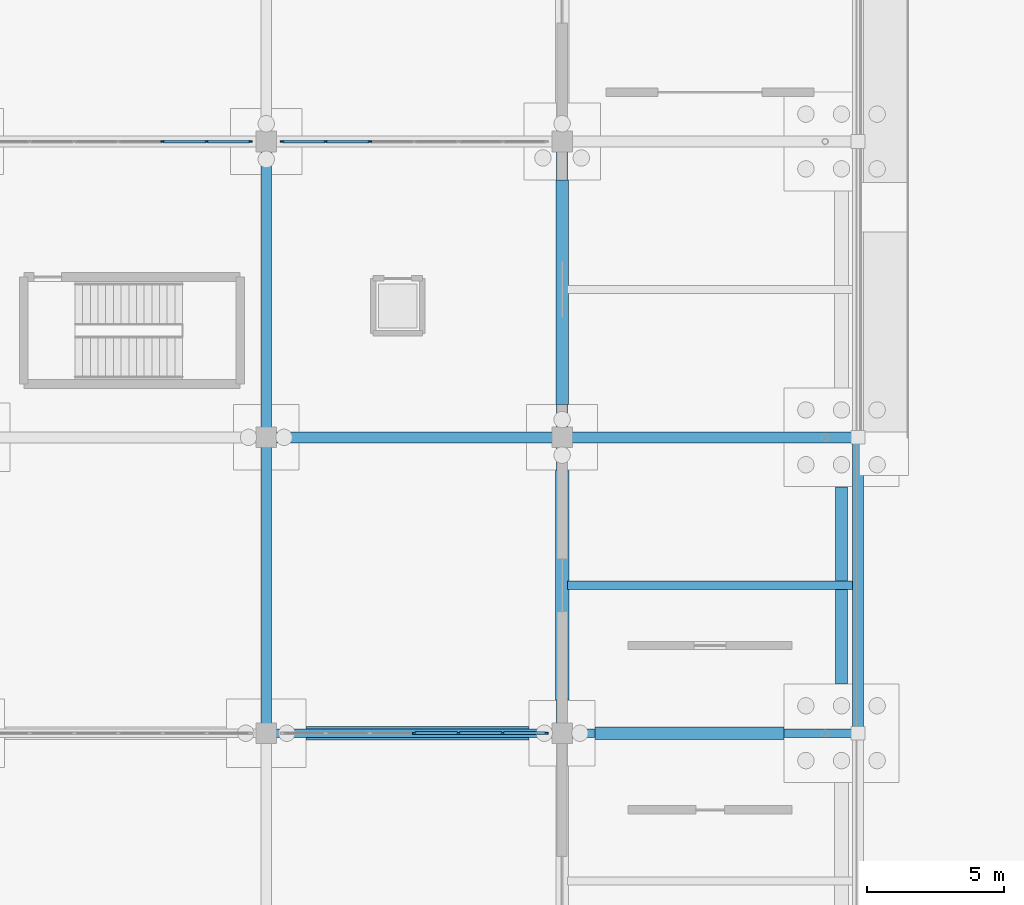
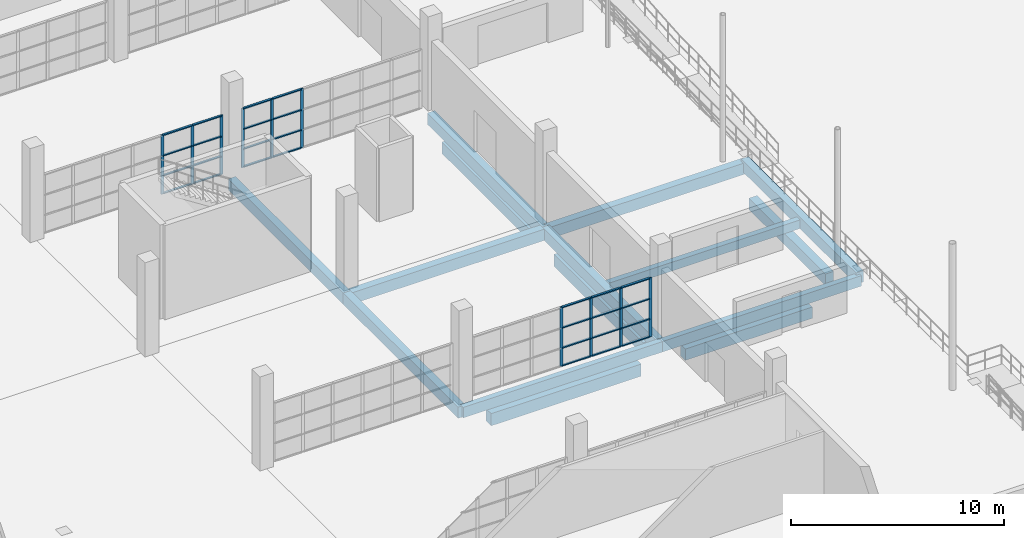
# One storey, part 72 of 138: 38 members, 15 beams, 3 elements without a shape of their own.
"""IFC4 building model written with IfcOpenShell, lengths in metres."""

from ifc_helpers import new_model, si_unit, direction, frame, origin, origin_2d, place, context, subcontext, project, spatial, rectangle, extrude, material, material_profile, profile_set, type_object, element, aggregate, save


model = new_model("IFC4")

# Units and contexts
model_context = context("Model", 3, precision=1e-05, world=origin(), true_north=direction((0.0, 1.0)))
body_context = subcontext(model_context, "Body", "Model", "MODEL_VIEW")
ifc_project = project(units=[si_unit("LENGTHUNIT", "METRE"), si_unit("AREAUNIT", "SQUARE_METRE"), si_unit("VOLUMEUNIT", "CUBIC_METRE"), si_unit("PLANEANGLEUNIT", "RADIAN"), si_unit("MASSUNIT", "GRAM", prefix="KILO")], contexts=[model_context])

# Site, building, storey
site_placement = place(None, origin())
site = spatial("IfcSite", under=ifc_project, at=site_placement, CompositionType="ELEMENT")
building_placement = place(site_placement, origin())
building = spatial("IfcBuilding", under=site, at=building_placement, Name="Zwinboog Wholesale Market", CompositionType="ELEMENT")
storey_placement = place(building_placement, origin())
storey = spatial("IfcBuildingStorey", under=building, at=storey_placement, Name="L00", CompositionType="ELEMENT", Elevation=0.0)

# Beams
ifc_material_1 = material(Name="Precast concrete C45/55", Category="concrete")
ifc_material_profile_1 = material_profile(ifc_material_1, rectangle(XDim=0.39990234375, YDim=0.64990234375, at=origin_2d()), Name="PC 400x650")
ifc_profile_set_1 = profile_set([ifc_material_profile_1], Name="Precast concrete C45/55")
beam_type_1 = type_object("IfcBeamType", Name="BT-05", PredefinedType="BEAM", material=ifc_profile_set_1)
for number, where, z_axis, x_axis, name in (
    (1, (162.0, 75.60009765625, -0.719970703125), (1.0, 0.0, 0.0), (0.0, 1.0, 0.0), "BG-05 (BMG-L00-1620-0756-0114)"),
    (2, (162.0, 64.800048828125, -0.719970703125), (0.0, 1.0, 0.0), (-1.0, 0.0, 0.0), "BG-05 (BMG-L00-1620-0648-0371)"),
):
    element("IfcBeam", number, at=place(storey_placement, frame(where, z_axis=z_axis, x_axis=x_axis)), inside=storey, type_object=beam_type_1, Name=name, PredefinedType="BEAM", context=body_context, shape_type="SweptSolid", body=[
        extrude(rectangle(XDim=0.39990234375, YDim=0.64990234375, at=origin_2d()), origin(), (0.0, 0.0, 1.0), 10.800048828125),
    ])
beam_1_placement = place(storey_placement, frame((162.0, 75.60009765625, -0.719970703125), z_axis=(0.0, 1.0, 0.0), x_axis=(-1.0, 0.0, 0.0)))
element("IfcBeam", 3, at=beam_1_placement, inside=storey, type_object=beam_type_1, Name="BG-05 (BMG-L00-1620-0756-0372)", PredefinedType="BEAM", context=body_context, shape_type="SweptSolid", body=[
    extrude(rectangle(XDim=0.39990234375, YDim=0.64990234375, at=origin_2d()), origin(), (0.0, 0.0, 1.0), 10.7998046875),
])
beam_2_placement = place(storey_placement, frame((172.800048828125, 64.800048828125, -0.719970703125), z_axis=(0.0, 1.0, 0.0), x_axis=(-1.0, 0.0, 0.0)))
element("IfcBeam", 4, at=beam_2_placement, inside=storey, type_object=beam_type_1, Name="BG-05 (BMG-L00-1728-0648-0383)", PredefinedType="BEAM", context=body_context, shape_type="SweptSolid", body=[
    extrude(rectangle(XDim=0.39990234375, YDim=0.64990234375, at=origin_2d()), origin(), (0.0, 0.0, 1.0), 10.800048828125),
])
beam_3_placement = place(storey_placement, frame((172.800048828125, 75.60009765625, -0.719970703125), z_axis=(0.0, 1.0, 0.0), x_axis=(-1.0, 0.0, 0.0)))
element("IfcBeam", 5, at=beam_3_placement, inside=storey, type_object=beam_type_1, Name="BG-05 (BMG-L00-1728-0756-0384)", PredefinedType="BEAM", context=body_context, shape_type="SweptSolid", body=[
    extrude(rectangle(XDim=0.39990234375, YDim=0.64990234375, at=origin_2d()), origin(), (0.0, 0.0, 1.0), 10.7998046875),
])
for number, where, z_axis, x_axis, name in (
    (6, (172.800048828125, 75.60009765625, -0.719970703125), (1.0, 0.0, 0.0), (0.0, 1.0, 0.0), "BG-05 (BM-TER-L00-0014)"),
    (7, (183.60009765625, 64.800048828125, -0.5869140625), (0.0, 1.0, 0.0), (-1.0, 0.0, 0.0), "BG-05 (BM-TER-L00-0027)"),
):
    element("IfcBeam", number, at=place(storey_placement, frame(where, z_axis=z_axis, x_axis=x_axis)), inside=storey, type_object=beam_type_1, Name=name, PredefinedType="BEAM", context=body_context, shape_type="SweptSolid", body=[
        extrude(rectangle(XDim=0.39990234375, YDim=0.64990234375, at=origin_2d()), origin(), (0.0, 0.0, 1.0), 10.800048828125),
    ])
ifc_material_profile_2 = material_profile(ifc_material_1, rectangle(XDim=0.300048828125, YDim=0.60009765625, at=origin_2d()), Name="PC 300x600")
ifc_profile_set_2 = profile_set([ifc_material_profile_2], Name="Precast concrete C45/55")
beam_type_2 = type_object("IfcBeamType", Name="BT-09", PredefinedType="SPANDREL", material=ifc_profile_set_2)
for number, where, z_axis, x_axis, name in (
    (8, (162.0, 64.800048828125, -0.695068359375), (1.0, 0.0, 0.0), (0.0, 1.0, 0.0), "SP-02 (BMG-L00-1620-0648-0098)"),
    (9, (172.800048828125, 64.800048828125, -0.695068359375), (1.0, 0.0, 0.0), (0.0, 1.0, 0.0), "SP-02 (BM-TER-L00-0013)"),
):
    element("IfcBeam", number, at=place(storey_placement, frame(where, z_axis=z_axis, x_axis=x_axis)), inside=storey, type_object=beam_type_2, Name=name, PredefinedType="SPANDREL", context=body_context, shape_type="SweptSolid", body=[
        extrude(rectangle(XDim=0.300048828125, YDim=0.60009765625, at=origin_2d()), origin(), (0.0, 0.0, 1.0), 10.800048828125),
    ])
ifc_material_profile_3 = material_profile(ifc_material_1, rectangle(XDim=0.300048828125, YDim=0.5, at=origin_2d()), Name="PC 300x500")
ifc_profile_set_3 = profile_set([ifc_material_profile_3], Name="Precast concrete C45/55")
beam_type_3 = type_object("IfcBeamType", Name="BT-10", PredefinedType="JOIST", material=ifc_profile_set_3)
beam_4_placement = place(storey_placement, frame((173.0, 70.199951171875, -0.64501953125), z_axis=(1.0, 0.0, 0.0), x_axis=(0.0, 1.0, 0.0)))
element("IfcBeam", 10, at=beam_4_placement, inside=storey, type_object=beam_type_3, Name="BJ-01 (BM-TER-L00-0043)", PredefinedType="JOIST", context=body_context, shape_type="SweptSolid", body=[
    extrude(rectangle(XDim=0.300048828125, YDim=0.5, at=origin_2d()), origin(), (0.0, 0.0, 1.0), 10.39990234375),
])
ifc_material_2 = material(Name="Concrete C35/45", Category="concrete")
ifc_material_profile_4 = material_profile(ifc_material_2, rectangle(XDim=0.5, YDim=0.699951171875, at=origin_2d()), Name="RC 500x700")
ifc_profile_set_4 = profile_set([ifc_material_profile_4], Name="Concrete C35/45")
beam_type_4 = type_object("IfcBeamType", Name="BT-12", PredefinedType="USERDEFINED", material=ifc_profile_set_4)
beam_5_placement = place(storey_placement, frame((163.455078125, 64.800048828125, -1.550048828125), z_axis=(1.0, 0.0, 0.0), x_axis=(0.0, 1.0, 0.0)))
element("IfcBeam", 11, at=beam_5_placement, inside=storey, type_object=beam_type_4, Name="GB-01 (BM-GB-0065)", ObjectType="GROUND_BEAM", PredefinedType="USERDEFINED", context=body_context, shape_type="SweptSolid", body=[
    extrude(rectangle(XDim=0.5, YDim=0.699951171875, at=origin_2d()), origin(), (0.0, 0.0, 1.0), 8.139892578125),
])
beam_6_placement = place(storey_placement, frame((172.800048828125, 66.0048828125, -1.550048828125), z_axis=(0.0, 1.0, 0.0), x_axis=(-1.0, 0.0, 0.0)))
element("IfcBeam", 12, at=beam_6_placement, inside=storey, type_object=beam_type_4, Name="GB-01 (BM-GB-0202)", ObjectType="GROUND_BEAM", PredefinedType="USERDEFINED", context=body_context, shape_type="SweptSolid", body=[
    extrude(rectangle(XDim=0.5, YDim=0.699951171875, at=origin_2d()), origin(), (0.0, 0.0, 1.0), 8.39013671875),
])
ifc_material_profile_5 = material_profile(ifc_material_2, rectangle(XDim=0.449951171875, YDim=0.64990234375, at=origin_2d()), Name="RC 450x650")
ifc_profile_set_5 = profile_set([ifc_material_profile_5], Name="Concrete C35/45")
beam_type_5 = type_object("IfcBeamType", Name="BT-13", PredefinedType="USERDEFINED", material=ifc_profile_set_5)
beam_7_placement = place(storey_placement, frame((174.0048828125, 64.800048828125, -1.52490234375), z_axis=(1.0, 0.0, 0.0), x_axis=(0.0, 1.0, 0.0)))
element("IfcBeam", 13, at=beam_7_placement, inside=storey, type_object=beam_type_5, Name="GB-02 (BM-GB-0066)", ObjectType="GROUND_BEAM", PredefinedType="USERDEFINED", context=body_context, shape_type="SweptSolid", body=[
    extrude(rectangle(XDim=0.449951171875, YDim=0.64990234375, at=origin_2d()), origin(), (0.0, 0.0, 1.0), 6.89013671875),
])
beam_8_placement = place(storey_placement, frame((172.800048828125, 76.804931640625, -1.52490234375), z_axis=(0.0, 1.0, 0.0), x_axis=(-1.0, 0.0, 0.0)))
element("IfcBeam", 14, at=beam_8_placement, inside=storey, type_object=beam_type_5, Name="GB-02 (BM-GB-0203)", ObjectType="GROUND_BEAM", PredefinedType="USERDEFINED", context=body_context, shape_type="SweptSolid", body=[
    extrude(rectangle(XDim=0.449951171875, YDim=0.64990234375, at=origin_2d()), origin(), (0.0, 0.0, 1.0), 8.190185546875),
])
beam_9_placement = place(storey_placement, frame((183.0, 66.60498046875, -1.52490234375), z_axis=(0.0, 1.0, 0.0), x_axis=(-1.0, 0.0, 0.0)))
element("IfcBeam", 15, at=beam_9_placement, inside=storey, type_object=beam_type_5, Name="GB-02 (BM-GB-0209)", ObjectType="GROUND_BEAM", PredefinedType="USERDEFINED", context=body_context, shape_type="SweptSolid", body=[
    extrude(rectangle(XDim=0.449951171875, YDim=0.64990234375, at=origin_2d()), origin(), (0.0, 0.0, 1.0), 7.18994140625),
])

# Curtain wall, members
ifc_material_3 = material(Name="Aluminium thermally broken curtain wall", Category="aluminium")
curtain_wall_type = type_object("IfcCurtainWallType", Name="CWT-INT-STALL", PredefinedType="USERDEFINED", material=ifc_material_3)
curtain_wall_1_placement = place(storey_placement, origin())
curtain_wall_1 = element("IfcCurtainWall", 16, at=curtain_wall_1_placement, inside=storey, type_object=curtain_wall_type, Name="CW-07 (CW-STL-194)", ObjectType="STOREFRONT_GLAZING", PredefinedType="USERDEFINED")
ifc_material_4 = material(Name="Aluminium EN AW-6060", Category="aluminium")
ifc_material_profile_6 = material_profile(ifc_material_4, rectangle(XDim=0.06005859375, YDim=0.14990234375, at=origin_2d()), Name="AL 60x150")
ifc_profile_set_6 = profile_set([ifc_material_profile_6], Name="Aluminium EN AW-6060")
member_type_1 = type_object("IfcMemberType", Name="CWM-INT-60x120", PredefinedType="MULLION", material=ifc_profile_set_6)
member_1_placement = place(storey_placement, frame((167.39990234375, 64.800048828125, 0.0), z_axis=(0.0, 0.0, 1.0), x_axis=(0.0, 1.0, 0.0)))
member_1 = element("IfcMember", 17, at=member_1_placement, type_object=member_type_1, Name="CW-07 mullion 4", PredefinedType="MULLION", context=body_context, shape_type="SweptSolid", body=[
    extrude(rectangle(XDim=0.06005859375, YDim=0.14990234375, at=origin_2d()), origin(), (0.0, 0.0, 1.0), 3.39990234375),
])
member_2_placement = place(storey_placement, frame((169.0166015625, 64.800048828125, 0.0), z_axis=(0.0, 0.0, 1.0), x_axis=(0.0, 1.0, 0.0)))
member_2 = element("IfcMember", 18, at=member_2_placement, type_object=member_type_1, Name="CW-07 mullion 5", PredefinedType="MULLION", context=body_context, shape_type="SweptSolid", body=[
    extrude(rectangle(XDim=0.06005859375, YDim=0.14990234375, at=origin_2d()), origin(), (0.0, 0.0, 1.0), 3.39990234375),
])
member_3_placement = place(storey_placement, frame((170.63330078125, 64.800048828125, 0.0), z_axis=(0.0, 0.0, 1.0), x_axis=(0.0, 1.0, 0.0)))
member_3 = element("IfcMember", 19, at=member_3_placement, type_object=member_type_1, Name="CW-07 mullion 6", PredefinedType="MULLION", context=body_context, shape_type="SweptSolid", body=[
    extrude(rectangle(XDim=0.06005859375, YDim=0.14990234375, at=origin_2d()), origin(), (0.0, 0.0, 1.0), 3.39990234375),
])
member_4_placement = place(storey_placement, frame((172.219970703125, 64.800048828125, 0.0), z_axis=(0.0, 0.0, 1.0), x_axis=(0.0, 1.0, 0.0)))
member_4 = element("IfcMember", 20, at=member_4_placement, type_object=member_type_1, Name="CW-07 mullion 7", PredefinedType="MULLION", context=body_context, shape_type="SweptSolid", body=[
    extrude(rectangle(XDim=0.06005859375, YDim=0.14990234375, at=origin_2d()), origin(), (0.0, 0.0, 1.0), 3.39990234375),
])

curtain_wall_2_placement = place(storey_placement, origin())
curtain_wall_2 = element("IfcCurtainWall", 21, at=curtain_wall_2_placement, inside=storey, type_object=curtain_wall_type, Name="CW-07 (CW-STL-197)", ObjectType="STOREFRONT_GLAZING", PredefinedType="USERDEFINED")
member_5_placement = place(storey_placement, frame((158.216552734375, 86.39990234375, 0.0), z_axis=(0.0, 0.0, 1.0), x_axis=(0.0, 1.0, 0.0)))
member_5 = element("IfcMember", 22, at=member_5_placement, type_object=member_type_1, Name="CW-07 mullion 5", PredefinedType="MULLION", context=body_context, shape_type="SweptSolid", body=[
    extrude(rectangle(XDim=0.06005859375, YDim=0.14990234375, at=origin_2d()), origin(), (0.0, 0.0, 1.0), 3.39990234375),
])
member_6_placement = place(storey_placement, frame((159.833251953125, 86.39990234375, 0.0), z_axis=(0.0, 0.0, 1.0), x_axis=(0.0, 1.0, 0.0)))
member_6 = element("IfcMember", 23, at=member_6_placement, type_object=member_type_1, Name="CW-07 mullion 6", PredefinedType="MULLION", context=body_context, shape_type="SweptSolid", body=[
    extrude(rectangle(XDim=0.06005859375, YDim=0.14990234375, at=origin_2d()), origin(), (0.0, 0.0, 1.0), 3.39990234375),
])
member_7_placement = place(storey_placement, frame((161.419921875, 86.39990234375, 0.0), z_axis=(0.0, 0.0, 1.0), x_axis=(0.0, 1.0, 0.0)))
member_7 = element("IfcMember", 24, at=member_7_placement, type_object=member_type_1, Name="CW-07 mullion 7", PredefinedType="MULLION", context=body_context, shape_type="SweptSolid", body=[
    extrude(rectangle(XDim=0.06005859375, YDim=0.14990234375, at=origin_2d()), origin(), (0.0, 0.0, 1.0), 3.39990234375),
])

curtain_wall_3_placement = place(storey_placement, origin())
curtain_wall_3 = element("IfcCurtainWall", 25, at=curtain_wall_3_placement, inside=storey, type_object=curtain_wall_type, Name="CW-07 (CW-STL-198)", ObjectType="STOREFRONT_GLAZING", PredefinedType="USERDEFINED")
member_8_placement = place(storey_placement, frame((162.580078125, 86.39990234375, 0.0), z_axis=(0.0, 0.0, 1.0), x_axis=(0.0, 1.0, 0.0)))
member_8 = element("IfcMember", 26, at=member_8_placement, type_object=member_type_1, Name="CW-07 mullion 1", PredefinedType="MULLION", context=body_context, shape_type="SweptSolid", body=[
    extrude(rectangle(XDim=0.06005859375, YDim=0.14990234375, at=origin_2d()), origin(), (0.0, 0.0, 1.0), 3.39990234375),
])
member_9_placement = place(storey_placement, frame((164.166748046875, 86.39990234375, 0.0), z_axis=(0.0, 0.0, 1.0), x_axis=(0.0, 1.0, 0.0)))
member_9 = element("IfcMember", 27, at=member_9_placement, type_object=member_type_1, Name="CW-07 mullion 2", PredefinedType="MULLION", context=body_context, shape_type="SweptSolid", body=[
    extrude(rectangle(XDim=0.06005859375, YDim=0.14990234375, at=origin_2d()), origin(), (0.0, 0.0, 1.0), 3.39990234375),
])
member_10_placement = place(storey_placement, frame((165.783447265625, 86.39990234375, 0.0), z_axis=(0.0, 0.0, 1.0), x_axis=(0.0, 1.0, 0.0)))
member_10 = element("IfcMember", 28, at=member_10_placement, type_object=member_type_1, Name="CW-07 mullion 3", PredefinedType="MULLION", context=body_context, shape_type="SweptSolid", body=[
    extrude(rectangle(XDim=0.06005859375, YDim=0.14990234375, at=origin_2d()), origin(), (0.0, 0.0, 1.0), 3.39990234375),
])

# Member
ifc_material_profile_7 = material_profile(ifc_material_4, rectangle(XDim=0.110107421875, YDim=0.06005859375, at=origin_2d()), Name="AL 60x110")
ifc_profile_set_7 = profile_set([ifc_material_profile_7], Name="Aluminium EN AW-6060")
member_type_2 = type_object("IfcMemberType", Name="CWT-INT-60x100", PredefinedType="USERDEFINED", material=ifc_profile_set_7)
member_11_placement = place(storey_placement, frame((167.429931640625, 64.800048828125, 0.030029296875), z_axis=(1.0, 0.0, 0.0), x_axis=(0.0, 1.0, 0.0)))
member_11 = element("IfcMember", 29, at=member_11_placement, type_object=member_type_2, Name="CW-07 transom 4.1", ObjectType="TRANSOM", PredefinedType="USERDEFINED", context=body_context, shape_type="SweptSolid", body=[
    extrude(rectangle(XDim=0.110107421875, YDim=0.06005859375, at=origin_2d()), origin(), (0.0, 0.0, 1.0), 1.556640625),
])

member_12_placement = place(storey_placement, frame((167.429931640625, 64.800048828125, 1.050048828125), z_axis=(1.0, 0.0, 0.0), x_axis=(0.0, 1.0, 0.0)))
member_12 = element("IfcMember", 30, at=member_12_placement, type_object=member_type_2, Name="CW-07 transom 4.2", ObjectType="TRANSOM", PredefinedType="USERDEFINED", context=body_context, shape_type="SweptSolid", body=[
    extrude(rectangle(XDim=0.110107421875, YDim=0.06005859375, at=origin_2d()), origin(), (0.0, 0.0, 1.0), 1.556640625),
])

member_13_placement = place(storey_placement, frame((167.429931640625, 64.800048828125, 2.199951171875), z_axis=(1.0, 0.0, 0.0), x_axis=(0.0, 1.0, 0.0)))
member_13 = element("IfcMember", 31, at=member_13_placement, type_object=member_type_2, Name="CW-07 transom 4.3", ObjectType="TRANSOM", PredefinedType="USERDEFINED", context=body_context, shape_type="SweptSolid", body=[
    extrude(rectangle(XDim=0.110107421875, YDim=0.06005859375, at=origin_2d()), origin(), (0.0, 0.0, 1.0), 1.556640625),
])

member_14_placement = place(storey_placement, frame((167.429931640625, 64.800048828125, 3.3701171875), z_axis=(1.0, 0.0, 0.0), x_axis=(0.0, 1.0, 0.0)))
member_14 = element("IfcMember", 32, at=member_14_placement, type_object=member_type_2, Name="CW-07 transom 4.4", ObjectType="TRANSOM", PredefinedType="USERDEFINED", context=body_context, shape_type="SweptSolid", body=[
    extrude(rectangle(XDim=0.110107421875, YDim=0.06005859375, at=origin_2d()), origin(), (0.0, 0.0, 1.0), 1.556640625),
])

member_15_placement = place(storey_placement, frame((169.046630859375, 64.800048828125, 0.030029296875), z_axis=(1.0, 0.0, 0.0), x_axis=(0.0, 1.0, 0.0)))
member_15 = element("IfcMember", 33, at=member_15_placement, type_object=member_type_2, Name="CW-07 transom 5.1", ObjectType="TRANSOM", PredefinedType="USERDEFINED", context=body_context, shape_type="SweptSolid", body=[
    extrude(rectangle(XDim=0.110107421875, YDim=0.06005859375, at=origin_2d()), origin(), (0.0, 0.0, 1.0), 1.556640625),
])

member_16_placement = place(storey_placement, frame((169.046630859375, 64.800048828125, 1.050048828125), z_axis=(1.0, 0.0, 0.0), x_axis=(0.0, 1.0, 0.0)))
member_16 = element("IfcMember", 34, at=member_16_placement, type_object=member_type_2, Name="CW-07 transom 5.2", ObjectType="TRANSOM", PredefinedType="USERDEFINED", context=body_context, shape_type="SweptSolid", body=[
    extrude(rectangle(XDim=0.110107421875, YDim=0.06005859375, at=origin_2d()), origin(), (0.0, 0.0, 1.0), 1.556640625),
])

member_17_placement = place(storey_placement, frame((169.046630859375, 64.800048828125, 2.199951171875), z_axis=(1.0, 0.0, 0.0), x_axis=(0.0, 1.0, 0.0)))
member_17 = element("IfcMember", 35, at=member_17_placement, type_object=member_type_2, Name="CW-07 transom 5.3", ObjectType="TRANSOM", PredefinedType="USERDEFINED", context=body_context, shape_type="SweptSolid", body=[
    extrude(rectangle(XDim=0.110107421875, YDim=0.06005859375, at=origin_2d()), origin(), (0.0, 0.0, 1.0), 1.556640625),
])

member_18_placement = place(storey_placement, frame((169.046630859375, 64.800048828125, 3.3701171875), z_axis=(1.0, 0.0, 0.0), x_axis=(0.0, 1.0, 0.0)))
member_18 = element("IfcMember", 36, at=member_18_placement, type_object=member_type_2, Name="CW-07 transom 5.4", ObjectType="TRANSOM", PredefinedType="USERDEFINED", context=body_context, shape_type="SweptSolid", body=[
    extrude(rectangle(XDim=0.110107421875, YDim=0.06005859375, at=origin_2d()), origin(), (0.0, 0.0, 1.0), 1.556640625),
])

member_19_placement = place(storey_placement, frame((170.663330078125, 64.800048828125, 0.030029296875), z_axis=(1.0, 0.0, 0.0), x_axis=(0.0, 1.0, 0.0)))
member_19 = element("IfcMember", 37, at=member_19_placement, type_object=member_type_2, Name="CW-07 transom 6.1", ObjectType="TRANSOM", PredefinedType="USERDEFINED", context=body_context, shape_type="SweptSolid", body=[
    extrude(rectangle(XDim=0.110107421875, YDim=0.06005859375, at=origin_2d()), origin(), (0.0, 0.0, 1.0), 1.526611328125),
])

member_20_placement = place(storey_placement, frame((170.663330078125, 64.800048828125, 1.050048828125), z_axis=(1.0, 0.0, 0.0), x_axis=(0.0, 1.0, 0.0)))
member_20 = element("IfcMember", 38, at=member_20_placement, type_object=member_type_2, Name="CW-07 transom 6.2", ObjectType="TRANSOM", PredefinedType="USERDEFINED", context=body_context, shape_type="SweptSolid", body=[
    extrude(rectangle(XDim=0.110107421875, YDim=0.06005859375, at=origin_2d()), origin(), (0.0, 0.0, 1.0), 1.526611328125),
])

member_21_placement = place(storey_placement, frame((170.663330078125, 64.800048828125, 2.199951171875), z_axis=(1.0, 0.0, 0.0), x_axis=(0.0, 1.0, 0.0)))
member_21 = element("IfcMember", 39, at=member_21_placement, type_object=member_type_2, Name="CW-07 transom 6.3", ObjectType="TRANSOM", PredefinedType="USERDEFINED", context=body_context, shape_type="SweptSolid", body=[
    extrude(rectangle(XDim=0.110107421875, YDim=0.06005859375, at=origin_2d()), origin(), (0.0, 0.0, 1.0), 1.526611328125),
])

member_22_placement = place(storey_placement, frame((170.663330078125, 64.800048828125, 3.3701171875), z_axis=(1.0, 0.0, 0.0), x_axis=(0.0, 1.0, 0.0)))
member_22 = element("IfcMember", 40, at=member_22_placement, type_object=member_type_2, Name="CW-07 transom 6.4", ObjectType="TRANSOM", PredefinedType="USERDEFINED", context=body_context, shape_type="SweptSolid", body=[
    extrude(rectangle(XDim=0.110107421875, YDim=0.06005859375, at=origin_2d()), origin(), (0.0, 0.0, 1.0), 1.526611328125),
])

aggregate(curtain_wall_1, [member_1, member_2, member_3, member_4, member_11, member_12, member_13, member_14, member_15, member_16, member_17, member_18, member_19, member_20, member_21, member_22])

member_23_placement = place(storey_placement, frame((158.24658203125, 86.39990234375, 0.030029296875), z_axis=(1.0, 0.0, 0.0), x_axis=(0.0, 1.0, 0.0)))
member_23 = element("IfcMember", 41, at=member_23_placement, type_object=member_type_2, Name="CW-07 transom 5.1", ObjectType="TRANSOM", PredefinedType="USERDEFINED", context=body_context, shape_type="SweptSolid", body=[
    extrude(rectangle(XDim=0.110107421875, YDim=0.06005859375, at=origin_2d()), origin(), (0.0, 0.0, 1.0), 1.556640625),
])

member_24_placement = place(storey_placement, frame((158.24658203125, 86.39990234375, 1.050048828125), z_axis=(1.0, 0.0, 0.0), x_axis=(0.0, 1.0, 0.0)))
member_24 = element("IfcMember", 42, at=member_24_placement, type_object=member_type_2, Name="CW-07 transom 5.2", ObjectType="TRANSOM", PredefinedType="USERDEFINED", context=body_context, shape_type="SweptSolid", body=[
    extrude(rectangle(XDim=0.110107421875, YDim=0.06005859375, at=origin_2d()), origin(), (0.0, 0.0, 1.0), 1.556640625),
])

member_25_placement = place(storey_placement, frame((158.24658203125, 86.39990234375, 2.199951171875), z_axis=(1.0, 0.0, 0.0), x_axis=(0.0, 1.0, 0.0)))
member_25 = element("IfcMember", 43, at=member_25_placement, type_object=member_type_2, Name="CW-07 transom 5.3", ObjectType="TRANSOM", PredefinedType="USERDEFINED", context=body_context, shape_type="SweptSolid", body=[
    extrude(rectangle(XDim=0.110107421875, YDim=0.06005859375, at=origin_2d()), origin(), (0.0, 0.0, 1.0), 1.556640625),
])

member_26_placement = place(storey_placement, frame((158.24658203125, 86.39990234375, 3.3701171875), z_axis=(1.0, 0.0, 0.0), x_axis=(0.0, 1.0, 0.0)))
member_26 = element("IfcMember", 44, at=member_26_placement, type_object=member_type_2, Name="CW-07 transom 5.4", ObjectType="TRANSOM", PredefinedType="USERDEFINED", context=body_context, shape_type="SweptSolid", body=[
    extrude(rectangle(XDim=0.110107421875, YDim=0.06005859375, at=origin_2d()), origin(), (0.0, 0.0, 1.0), 1.556640625),
])

member_27_placement = place(storey_placement, frame((159.86328125, 86.39990234375, 0.030029296875), z_axis=(1.0, 0.0, 0.0), x_axis=(0.0, 1.0, 0.0)))
member_27 = element("IfcMember", 45, at=member_27_placement, type_object=member_type_2, Name="CW-07 transom 6.1", ObjectType="TRANSOM", PredefinedType="USERDEFINED", context=body_context, shape_type="SweptSolid", body=[
    extrude(rectangle(XDim=0.110107421875, YDim=0.06005859375, at=origin_2d()), origin(), (0.0, 0.0, 1.0), 1.526611328125),
])

member_28_placement = place(storey_placement, frame((159.86328125, 86.39990234375, 1.050048828125), z_axis=(1.0, 0.0, 0.0), x_axis=(0.0, 1.0, 0.0)))
member_28 = element("IfcMember", 46, at=member_28_placement, type_object=member_type_2, Name="CW-07 transom 6.2", ObjectType="TRANSOM", PredefinedType="USERDEFINED", context=body_context, shape_type="SweptSolid", body=[
    extrude(rectangle(XDim=0.110107421875, YDim=0.06005859375, at=origin_2d()), origin(), (0.0, 0.0, 1.0), 1.526611328125),
])

member_29_placement = place(storey_placement, frame((159.86328125, 86.39990234375, 2.199951171875), z_axis=(1.0, 0.0, 0.0), x_axis=(0.0, 1.0, 0.0)))
member_29 = element("IfcMember", 47, at=member_29_placement, type_object=member_type_2, Name="CW-07 transom 6.3", ObjectType="TRANSOM", PredefinedType="USERDEFINED", context=body_context, shape_type="SweptSolid", body=[
    extrude(rectangle(XDim=0.110107421875, YDim=0.06005859375, at=origin_2d()), origin(), (0.0, 0.0, 1.0), 1.526611328125),
])

member_30_placement = place(storey_placement, frame((159.86328125, 86.39990234375, 3.3701171875), z_axis=(1.0, 0.0, 0.0), x_axis=(0.0, 1.0, 0.0)))
member_30 = element("IfcMember", 48, at=member_30_placement, type_object=member_type_2, Name="CW-07 transom 6.4", ObjectType="TRANSOM", PredefinedType="USERDEFINED", context=body_context, shape_type="SweptSolid", body=[
    extrude(rectangle(XDim=0.110107421875, YDim=0.06005859375, at=origin_2d()), origin(), (0.0, 0.0, 1.0), 1.526611328125),
])

aggregate(curtain_wall_2, [member_5, member_6, member_7, member_23, member_24, member_25, member_26, member_27, member_28, member_29, member_30])

member_31_placement = place(storey_placement, frame((162.610107421875, 86.39990234375, 0.030029296875), z_axis=(1.0, 0.0, 0.0), x_axis=(0.0, 1.0, 0.0)))
member_31 = element("IfcMember", 49, at=member_31_placement, type_object=member_type_2, Name="CW-07 transom 1.1", ObjectType="TRANSOM", PredefinedType="USERDEFINED", context=body_context, shape_type="SweptSolid", body=[
    extrude(rectangle(XDim=0.110107421875, YDim=0.06005859375, at=origin_2d()), origin(), (0.0, 0.0, 1.0), 1.526611328125),
])

member_32_placement = place(storey_placement, frame((162.610107421875, 86.39990234375, 1.050048828125), z_axis=(1.0, 0.0, 0.0), x_axis=(0.0, 1.0, 0.0)))
member_32 = element("IfcMember", 50, at=member_32_placement, type_object=member_type_2, Name="CW-07 transom 1.2", ObjectType="TRANSOM", PredefinedType="USERDEFINED", context=body_context, shape_type="SweptSolid", body=[
    extrude(rectangle(XDim=0.110107421875, YDim=0.06005859375, at=origin_2d()), origin(), (0.0, 0.0, 1.0), 1.526611328125),
])

member_33_placement = place(storey_placement, frame((162.610107421875, 86.39990234375, 2.199951171875), z_axis=(1.0, 0.0, 0.0), x_axis=(0.0, 1.0, 0.0)))
member_33 = element("IfcMember", 51, at=member_33_placement, type_object=member_type_2, Name="CW-07 transom 1.3", ObjectType="TRANSOM", PredefinedType="USERDEFINED", context=body_context, shape_type="SweptSolid", body=[
    extrude(rectangle(XDim=0.110107421875, YDim=0.06005859375, at=origin_2d()), origin(), (0.0, 0.0, 1.0), 1.526611328125),
])

member_34_placement = place(storey_placement, frame((162.610107421875, 86.39990234375, 3.3701171875), z_axis=(1.0, 0.0, 0.0), x_axis=(0.0, 1.0, 0.0)))
member_34 = element("IfcMember", 52, at=member_34_placement, type_object=member_type_2, Name="CW-07 transom 1.4", ObjectType="TRANSOM", PredefinedType="USERDEFINED", context=body_context, shape_type="SweptSolid", body=[
    extrude(rectangle(XDim=0.110107421875, YDim=0.06005859375, at=origin_2d()), origin(), (0.0, 0.0, 1.0), 1.526611328125),
])

member_35_placement = place(storey_placement, frame((164.19677734375, 86.39990234375, 0.030029296875), z_axis=(1.0, 0.0, 0.0), x_axis=(0.0, 1.0, 0.0)))
member_35 = element("IfcMember", 53, at=member_35_placement, type_object=member_type_2, Name="CW-07 transom 2.1", ObjectType="TRANSOM", PredefinedType="USERDEFINED", context=body_context, shape_type="SweptSolid", body=[
    extrude(rectangle(XDim=0.110107421875, YDim=0.06005859375, at=origin_2d()), origin(), (0.0, 0.0, 1.0), 1.556640625),
])

member_36_placement = place(storey_placement, frame((164.19677734375, 86.39990234375, 1.050048828125), z_axis=(1.0, 0.0, 0.0), x_axis=(0.0, 1.0, 0.0)))
member_36 = element("IfcMember", 54, at=member_36_placement, type_object=member_type_2, Name="CW-07 transom 2.2", ObjectType="TRANSOM", PredefinedType="USERDEFINED", context=body_context, shape_type="SweptSolid", body=[
    extrude(rectangle(XDim=0.110107421875, YDim=0.06005859375, at=origin_2d()), origin(), (0.0, 0.0, 1.0), 1.556640625),
])

member_37_placement = place(storey_placement, frame((164.19677734375, 86.39990234375, 2.199951171875), z_axis=(1.0, 0.0, 0.0), x_axis=(0.0, 1.0, 0.0)))
member_37 = element("IfcMember", 55, at=member_37_placement, type_object=member_type_2, Name="CW-07 transom 2.3", ObjectType="TRANSOM", PredefinedType="USERDEFINED", context=body_context, shape_type="SweptSolid", body=[
    extrude(rectangle(XDim=0.110107421875, YDim=0.06005859375, at=origin_2d()), origin(), (0.0, 0.0, 1.0), 1.556640625),
])

member_38_placement = place(storey_placement, frame((164.19677734375, 86.39990234375, 3.3701171875), z_axis=(1.0, 0.0, 0.0), x_axis=(0.0, 1.0, 0.0)))
member_38 = element("IfcMember", 56, at=member_38_placement, type_object=member_type_2, Name="CW-07 transom 2.4", ObjectType="TRANSOM", PredefinedType="USERDEFINED", context=body_context, shape_type="SweptSolid", body=[
    extrude(rectangle(XDim=0.110107421875, YDim=0.06005859375, at=origin_2d()), origin(), (0.0, 0.0, 1.0), 1.556640625),
])

aggregate(curtain_wall_3, [member_8, member_9, member_10, member_31, member_32, member_33, member_34, member_35, member_36, member_37, member_38])

save(model, "model.ifc")
